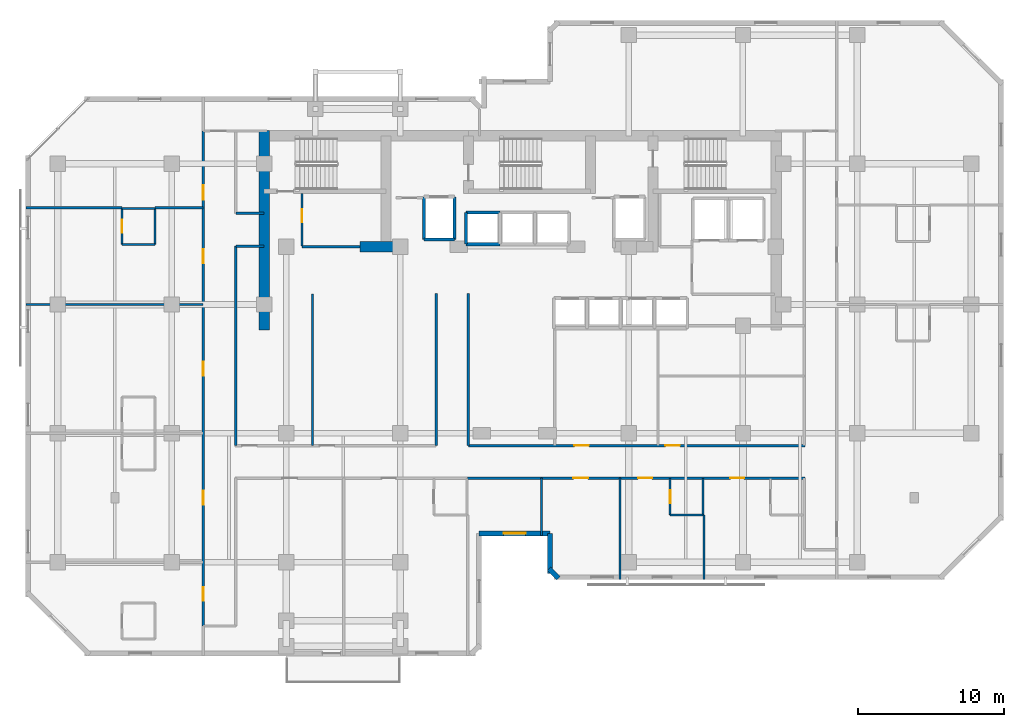
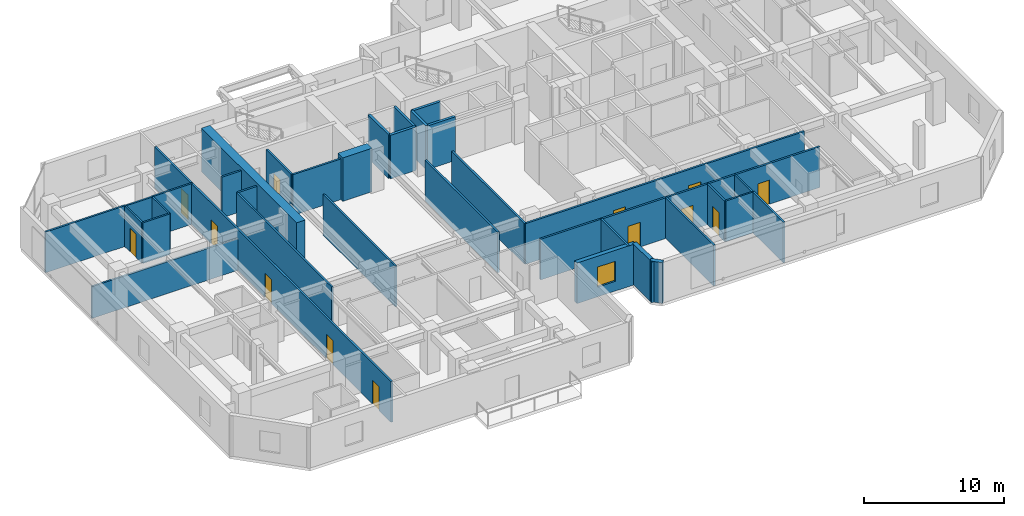
# One storey, part 5 of 11: 35 walls, 13 doors, 1 window, 14 openings.
"""IFC4 building model written with IfcOpenShell, lengths in metres."""

from ifc_helpers import new_model, si_unit, direction, frame, frame_2d, origin, place, context, subcontext, project, spatial, rectangle, extrude, material, layer, layer_set, type_object, element, fill, save


model = new_model("IFC4")

# Units and contexts
model_context = context("Model", 3, precision=1e-05, world=origin(), true_north=direction((0.0, 1.0)))
body_context = subcontext(model_context, "Body", "Model", "MODEL_VIEW")
ifc_project = project(units=[si_unit("LENGTHUNIT", "METRE"), si_unit("AREAUNIT", "SQUARE_METRE"), si_unit("VOLUMEUNIT", "CUBIC_METRE"), si_unit("PLANEANGLEUNIT", "RADIAN"), si_unit("MASSUNIT", "GRAM", prefix="KILO")], contexts=[model_context])

# Site, building, storey
site_placement = place(None, origin())
site = spatial("IfcSite", under=ifc_project, at=site_placement, CompositionType="ELEMENT")
building_placement = place(site_placement, origin())
building = spatial("IfcBuilding", under=site, at=building_placement, Name="Kestravale Grand Hotel", CompositionType="ELEMENT")
storey_placement = place(building_placement, frame((0.0, 0.0, 172.60009765625)))
storey = spatial("IfcBuildingStorey", under=building, at=storey_placement, Name="L43", CompositionType="ELEMENT", Elevation=172.60009765625)

# Walls
ifc_material_1 = material(Name="Concrete f'c 60 MPa", Category="concrete")
ifc_layer_1 = layer(ifc_material_1, 0.699951171875)
ifc_layer_set_1 = layer_set([ifc_layer_1], Name="EW-CORE-700")
wall_type_1 = type_object("IfcWallType", Name="EW-CORE-700", PredefinedType="SHEAR", material=ifc_layer_set_1)
wall_1_placement = place(storey_placement, frame((21.89990234375, 27.050048828125, 0.0), z_axis=(0.0, 0.0, 1.0), x_axis=(0.0, 1.0, 0.0)))
element("IfcWall", 1, at=wall_1_placement, inside=storey, type_object=wall_type_1, Name="L43 core shear wall W1", PredefinedType="SHEAR", context=body_context, shape_type="SweptSolid", body=[
    extrude(rectangle(XDim=13.619873046875, YDim=0.699951171875, at=frame_2d((6.81005859375, 0.0))), origin(), (0.0, 0.0, 1.0), 3.7998046875),
])
wall_2_placement = place(storey_placement, frame((28.449951171875, 32.75, 0.0), z_axis=(0.0, 0.0, 1.0), x_axis=(1.0, 0.0, 0.0)))
element("IfcWall", 2, at=wall_2_placement, inside=storey, type_object=wall_type_1, Name="L43 core shear wall S1", PredefinedType="SHEAR", context=body_context, shape_type="SweptSolid", body=[
    extrude(rectangle(XDim=2.400146484375, YDim=0.699951171875, at=frame_2d((1.2001953125, 0.0))), origin(), (0.0, 0.0, 1.0), 3.7998046875),
])

# Wall, opening, window
ifc_material_2 = material(Name="Precast concrete f'c 45 MPa", Category="concrete")
ifc_layer_2 = layer(ifc_material_2, 0.340087890625)
ifc_layer_set_2 = layer_set([ifc_layer_2], Name="EW-PREC-340")
wall_type_2 = type_object("IfcWallType", Name="EW-PREC-340", PredefinedType="SOLIDWALL", material=ifc_layer_set_2)
wall_3_placement = place(storey_placement, frame((36.580078125, 13.169921875, 0.0), z_axis=(0.0, 0.0, 1.0), x_axis=(1.0, 0.0, 0.0)))
wall_3 = element("IfcWall", 3, at=wall_3_placement, inside=storey, type_object=wall_type_2, Name="L43 fluted precast facade wall 4", PredefinedType="SOLIDWALL", context=body_context, shape_type="SweptSolid", body=[
    extrude(rectangle(XDim=4.83984375, YDim=0.340087890625, at=frame_2d((2.419921875, 0.0))), origin(), (0.0, 0.0, 1.0), 3.5498046875),
])
opening_1_placement = place(wall_3_placement, frame((1.669921875, 0.0, 0.85009765625)))
opening_1 = element("IfcOpeningElement", 4, at=opening_1_placement, cuts=wall_3, Name="Opening W-GUEST-1500", PredefinedType="OPENING", context=body_context, shape_type="SweptSolid", body=[
    extrude(rectangle(XDim=1.5, YDim=1.75, at=frame_2d((0.75, 0.875))), frame((0.0, 0.179931640625, 0.0), z_axis=(0.0, -1.0, 0.0), x_axis=(1.0, 0.0, 0.0)), (0.0, 0.0, 1.0), 0.360107421875),
])
ifc_material_3 = material(Name="Insulated low-E double glazing in aluminium frame", Category="aluminium")
window_type = type_object("IfcWindowType", Name="W-GUEST-1500", PartitioningType="SINGLE_PANEL", PredefinedType="WINDOW", material=ifc_material_3)
window_placement = place(opening_1_placement, origin())
window = element("IfcWindow", 5, at=window_placement, inside=storey, type_object=window_type, Name="L43 exterior window 4.1", OverallHeight=1.75, OverallWidth=1.5, PartitioningType="SINGLE_PANEL", PredefinedType="WINDOW", context=body_context, shape_type="SweptSolid", body=[
    extrude(rectangle(XDim=1.5, YDim=1.75, at=frame_2d((0.75, 0.875))), frame((0.0, 0.030029296875, 0.0), z_axis=(0.0, -1.0, 0.0), x_axis=(1.0, 0.0, 0.0)), (0.0, 0.0, 1.0), 0.06005859375),
])
fill(opening_1, window)

# Walls
wall_4_placement = place(storey_placement, frame((41.419921875, 13.169921875, 0.0), z_axis=(0.0, 0.0, 1.0), x_axis=(0.0, -1.0, 0.0)))
element("IfcWall", 6, at=wall_4_placement, inside=storey, type_object=wall_type_2, Name="L43 fluted precast facade wall 5", PredefinedType="SOLIDWALL", context=body_context, shape_type="SweptSolid", body=[
    extrude(rectangle(XDim=2.739990234375, YDim=0.340087890625, at=frame_2d((1.3701171875, 0.0))), origin(), (0.0, 0.0, 1.0), 3.5498046875),
])
wall_5_placement = place(storey_placement, frame((41.341796875, 10.74853515625, 0.0), z_axis=(0.0, 0.0, 1.0), x_axis=(0.707106781187, -0.707106781187, 0.0)))
element("IfcWall", 7, at=wall_5_placement, inside=storey, type_object=wall_type_2, Name="L43 fluted precast facade wall 6", PredefinedType="SOLIDWALL", context=body_context, shape_type="SweptSolid", body=[
    extrude(rectangle(XDim=0.9287109375, YDim=0.340087890625, at=frame_2d((0.46435546875, 0.0))), origin(), (0.0, 0.0, 1.0), 3.5498046875),
])

# Wall, opening, door
ifc_material_4 = material(Name="Acoustic fire-rated gypsum board partition", Category="other")
ifc_layer_3 = layer(ifc_material_4, 0.159912109375)
ifc_layer_set_3 = layer_set([ifc_layer_3], Name="IW-CORR-160")
wall_type_3 = type_object("IfcWallType", Name="IW-CORR-160", PredefinedType="PARTITIONING", material=ifc_layer_set_3)
wall_6_placement = place(storey_placement, frame((24.47998046875, 32.800048828125, 0.0), z_axis=(0.0, 0.0, 1.0), x_axis=(0.0, 1.0, 0.0)))
wall_6 = element("IfcWall", 8, at=wall_6_placement, inside=storey, type_object=wall_type_3, Name="L43 west core vestibule wall", PredefinedType="PARTITIONING", context=body_context, shape_type="SweptSolid", body=[
    extrude(rectangle(XDim=3.570068359375, YDim=0.159912109375, at=frame_2d((1.78515625, 0.0))), origin(), (0.0, 0.0, 1.0), 3.5498046875),
])
opening_2_placement = place(wall_6_placement, frame((1.603515625, 0.0, 0.0)))
opening_2 = element("IfcOpeningElement", 9, at=opening_2_placement, cuts=wall_6, Name="Opening D-SH-900", PredefinedType="OPENING", context=body_context, shape_type="SweptSolid", body=[
    extrude(rectangle(XDim=0.89990234375, YDim=2.10009765625, at=frame_2d((0.449951171875, 1.050048828125))), frame((0.0, 0.08984375, 0.0), z_axis=(0.0, -1.0, 0.0), x_axis=(1.0, 0.0, 0.0)), (0.0, 0.0, 1.0), 0.179931640625),
])
ifc_material_5 = material(Name="Galvanised 90-minute shaft and service fire door", Category="steel")
door_type_1 = type_object("IfcDoorType", Name="D-SH-900", OperationType="NOTDEFINED", PredefinedType="DOOR", material=ifc_material_5)
door_1_placement = place(opening_2_placement, origin())
door_1 = element("IfcDoor", 10, at=door_1_placement, inside=storey, type_object=door_type_1, Name="D-L43-HK", OperationType="SINGLE_SWING_RIGHT", OverallHeight=2.10009765625, OverallWidth=0.89990234375, PredefinedType="DOOR", context=body_context, shape_type="SweptSolid", body=[
    extrude(rectangle(XDim=0.89990234375, YDim=2.10009765625, at=frame_2d((0.449951171875, 1.050048828125))), frame((0.0, 0.02490234375, 0.0), z_axis=(0.0, -1.0, 0.0), x_axis=(1.0, 0.0, 0.0)), (0.0, 0.0, 1.0), 0.050048828125),
])
fill(opening_2, door_1)

# Wall
wall_7_placement = place(storey_placement, frame((24.47998046875, 32.75, 0.0), z_axis=(0.0, 0.0, 1.0), x_axis=(1.0, 0.0, 0.0)))
element("IfcWall", 11, at=wall_7_placement, inside=storey, type_object=wall_type_3, Name="W-L43-CWS", PredefinedType="PARTITIONING", context=body_context, shape_type="SweptSolid", body=[
    extrude(rectangle(XDim=3.969970703125, YDim=0.159912109375, at=frame_2d((1.98486328125, 0.0))), origin(), (0.0, 0.0, 1.0), 3.5498046875),
])

# Wall, openings, doors
wall_8_placement = place(storey_placement, frame((35.85009765625, 19.159912109375, 0.0), z_axis=(0.0, 0.0, 1.0), x_axis=(1.0, 0.0, 0.0)))
wall_8 = element("IfcWall", 12, at=wall_8_placement, inside=storey, type_object=wall_type_3, Name="W-L43-CE-N", PredefinedType="PARTITIONING", context=body_context, shape_type="SweptSolid", body=[
    extrude(rectangle(XDim=23.0, YDim=0.159912109375, at=frame_2d((11.5, 0.0))), origin(), (0.0, 0.0, 1.0), 3.5498046875),
])
opening_3_placement = place(wall_8_placement, frame((7.231201171875, 0.0, 0.0)))
opening_3 = element("IfcOpeningElement", 13, at=opening_3_placement, cuts=wall_8, Name="Opening D-GUEST-1000", PredefinedType="OPENING", context=body_context, shape_type="SweptSolid", body=[
    extrude(rectangle(XDim=1.0, YDim=2.14990234375, at=frame_2d((0.5, 1.074951171875))), frame((0.0, 0.08984375, 0.0), z_axis=(0.0, -1.0, 0.0), x_axis=(1.0, 0.0, 0.0)), (0.0, 0.0, 1.0), 0.179931640625),
])
opening_4_placement = place(wall_8_placement, frame((13.449951171875, 0.0, 0.0)))
opening_4 = element("IfcOpeningElement", 14, at=opening_4_placement, cuts=wall_8, Name="Opening D-GUEST-1000", PredefinedType="OPENING", context=body_context, shape_type="SweptSolid", body=[
    extrude(rectangle(XDim=1.0, YDim=2.14990234375, at=frame_2d((0.5, 1.074951171875))), frame((0.0, 0.08984375, 0.0), z_axis=(0.0, -1.0, 0.0), x_axis=(1.0, 0.0, 0.0)), (0.0, 0.0, 1.0), 0.179931640625),
])
ifc_material_6 = material(Name="Accessible walnut veneer hotel entrance fire door", Category="wood")
door_type_2 = type_object("IfcDoorType", Name="D-GUEST-1000", OperationType="NOTDEFINED", PredefinedType="DOOR", material=ifc_material_6)
door_2_placement = place(opening_3_placement, origin())
door_2 = element("IfcDoor", 15, at=door_2_placement, inside=storey, type_object=door_type_2, Name="D-L43-RECL-E1", OperationType="SINGLE_SWING_RIGHT", OverallHeight=2.14990234375, OverallWidth=1.0, PredefinedType="DOOR", context=body_context, shape_type="SweptSolid", body=[
    extrude(rectangle(XDim=1.0, YDim=2.14990234375, at=frame_2d((0.5, 1.074951171875))), frame((0.0, 0.02490234375, 0.0), z_axis=(0.0, -1.0, 0.0), x_axis=(1.0, 0.0, 0.0)), (0.0, 0.0, 1.0), 0.050048828125),
])
fill(opening_3, door_2)
door_3_placement = place(opening_4_placement, origin())
door_3 = element("IfcDoor", 16, at=door_3_placement, inside=storey, type_object=door_type_2, Name="D-L43-RECL-E2", OperationType="SINGLE_SWING_LEFT", OverallHeight=2.14990234375, OverallWidth=1.0, PredefinedType="DOOR", context=body_context, shape_type="SweptSolid", body=[
    extrude(rectangle(XDim=1.0, YDim=2.14990234375, at=frame_2d((0.5, 1.074951171875))), frame((0.0, 0.02490234375, 0.0), z_axis=(0.0, -1.0, 0.0), x_axis=(1.0, 0.0, 0.0)), (0.0, 0.0, 1.0), 0.050048828125),
])
fill(opening_4, door_3)

# Walls
for number, where, z_axis, x_axis, name in (
    (17, (33.64990234375, 19.159912109375, 0.0), (0.0, 0.0, 1.0), (0.0, 1.0, 0.0), "W-L43-TRUNK-W"),
    (18, (35.85009765625, 19.159912109375, 0.0), (0.0, 0.0, 1.0), (0.0, 1.0, 0.0), "W-L43-TRUNK-E"),
):
    element("IfcWall", number, at=place(storey_placement, frame(where, z_axis=z_axis, x_axis=x_axis)), inside=storey, type_object=wall_type_3, Name=name, PredefinedType="PARTITIONING", context=body_context, shape_type="SweptSolid", body=[
        extrude(rectangle(XDim=10.39013671875, YDim=0.159912109375, at=frame_2d((5.195068359375, 0.0))), origin(), (0.0, 0.0, 1.0), 3.5498046875),
    ])

# Wall, openings, doors
wall_9_placement = place(storey_placement, frame((35.800048828125, 16.93994140625, 0.0), z_axis=(0.0, 0.0, 1.0), x_axis=(1.0, 0.0, 0.0)))
wall_9 = element("IfcWall", 19, at=wall_9_placement, inside=storey, type_object=wall_type_3, Name="W-L43-CE-S", PredefinedType="PARTITIONING", context=body_context, shape_type="SweptSolid", body=[
    extrude(rectangle(XDim=23.050048828125, YDim=0.159912109375, at=frame_2d((11.52490234375, 0.0))), origin(), (0.0, 0.0, 1.0), 3.5498046875),
])
opening_5_placement = place(wall_9_placement, frame((7.222412109375, 0.0, 0.0)))
opening_5 = element("IfcOpeningElement", 20, at=opening_5_placement, cuts=wall_9, Name="Opening D-GUEST-1000", PredefinedType="OPENING", context=body_context, shape_type="SweptSolid", body=[
    extrude(rectangle(XDim=1.0, YDim=2.14990234375, at=frame_2d((0.5, 1.074951171875))), frame((0.0, 0.08984375, 0.0), z_axis=(0.0, -1.0, 0.0), x_axis=(1.0, 0.0, 0.0)), (0.0, 0.0, 1.0), 0.179931640625),
])
opening_6_placement = place(wall_9_placement, frame((11.638916015625, 0.0, 0.0)))
opening_6 = element("IfcOpeningElement", 21, at=opening_6_placement, cuts=wall_9, Name="Opening D-GUEST-950", PredefinedType="OPENING", context=body_context, shape_type="SweptSolid", body=[
    extrude(rectangle(XDim=0.949951171875, YDim=2.10009765625, at=frame_2d((0.47509765625, 1.050048828125))), frame((0.0, 0.08984375, 0.0), z_axis=(0.0, -1.0, 0.0), x_axis=(1.0, 0.0, 0.0)), (0.0, 0.0, 1.0), 0.179931640625),
])
opening_7_placement = place(wall_9_placement, frame((17.936279296875, 0.0, 0.0)))
opening_7 = element("IfcOpeningElement", 22, at=opening_7_placement, cuts=wall_9, Name="Opening D-GUEST-950", PredefinedType="OPENING", context=body_context, shape_type="SweptSolid", body=[
    extrude(rectangle(XDim=0.949951171875, YDim=2.10009765625, at=frame_2d((0.47509765625, 1.050048828125))), frame((0.0, 0.08984375, 0.0), z_axis=(0.0, -1.0, 0.0), x_axis=(1.0, 0.0, 0.0)), (0.0, 0.0, 1.0), 0.179931640625),
])
door_4_placement = place(opening_5_placement, origin())
door_4 = element("IfcDoor", 23, at=door_4_placement, inside=storey, type_object=door_type_2, Name="D-L43-AME", OperationType="SINGLE_SWING_LEFT", OverallHeight=2.14990234375, OverallWidth=1.0, PredefinedType="DOOR", context=body_context, shape_type="SweptSolid", body=[
    extrude(rectangle(XDim=1.0, YDim=2.14990234375, at=frame_2d((0.5, 1.074951171875))), frame((0.0, 0.02490234375, 0.0), z_axis=(0.0, -1.0, 0.0), x_axis=(1.0, 0.0, 0.0)), (0.0, 0.0, 1.0), 0.050048828125),
])
fill(opening_5, door_4)
ifc_material_7 = material(Name="Walnut veneer hotel guestroom entrance fire door", Category="wood")
door_type_3 = type_object("IfcDoorType", Name="D-GUEST-950", OperationType="NOTDEFINED", PredefinedType="DOOR", material=ifc_material_7)
door_5_placement = place(opening_6_placement, origin())
door_5 = element("IfcDoor", 24, at=door_5_placement, inside=storey, type_object=door_type_3, Name="D-L43-U02-ENT", OperationType="SINGLE_SWING_LEFT", OverallHeight=2.10009765625, OverallWidth=0.949951171875, PredefinedType="DOOR", context=body_context, shape_type="SweptSolid", body=[
    extrude(rectangle(XDim=0.949951171875, YDim=2.10009765625, at=frame_2d((0.47509765625, 1.050048828125))), frame((0.0, 0.02490234375, 0.0), z_axis=(0.0, -1.0, 0.0), x_axis=(1.0, 0.0, 0.0)), (0.0, 0.0, 1.0), 0.050048828125),
])
fill(opening_6, door_5)
door_6_placement = place(opening_7_placement, origin())
door_6 = element("IfcDoor", 25, at=door_6_placement, inside=storey, type_object=door_type_3, Name="D-L43-U03-ENT", OperationType="SINGLE_SWING_LEFT", OverallHeight=2.10009765625, OverallWidth=0.949951171875, PredefinedType="DOOR", context=body_context, shape_type="SweptSolid", body=[
    extrude(rectangle(XDim=0.949951171875, YDim=2.10009765625, at=frame_2d((0.47509765625, 1.050048828125))), frame((0.0, 0.02490234375, 0.0), z_axis=(0.0, -1.0, 0.0), x_axis=(1.0, 0.0, 0.0)), (0.0, 0.0, 1.0), 0.050048828125),
])
fill(opening_7, door_6)

wall_10_placement = place(storey_placement, frame((17.739990234375, 6.85009765625, 0.0), z_axis=(0.0, 0.0, 1.0), x_axis=(0.0, 1.0, 0.0)))
wall_10 = element("IfcWall", 26, at=wall_10_placement, inside=storey, type_object=wall_type_3, Name="W-L43-SW-W", PredefinedType="PARTITIONING", context=body_context, shape_type="SweptSolid", body=[
    extrude(rectangle(XDim=33.7998046875, YDim=0.159912109375, at=frame_2d((16.89990234375, 0.0))), origin(), (0.0, 0.0, 1.0), 3.5498046875),
])
opening_8_placement = place(wall_10_placement, frame((1.699951171875, 0.0, 0.0)))
opening_8 = element("IfcOpeningElement", 27, at=opening_8_placement, cuts=wall_10, Name="Opening D-GUEST-950", PredefinedType="OPENING", context=body_context, shape_type="SweptSolid", body=[
    extrude(rectangle(XDim=0.949951171875, YDim=2.10009765625, at=frame_2d((0.47509765625, 1.050048828125))), frame((0.0, 0.08984375, 0.0), z_axis=(0.0, -1.0, 0.0), x_axis=(1.0, 0.0, 0.0)), (0.0, 0.0, 1.0), 0.179931640625),
])
opening_9_placement = place(wall_10_placement, frame((8.27490234375, 0.0, 0.0)))
opening_9 = element("IfcOpeningElement", 28, at=opening_9_placement, cuts=wall_10, Name="Opening D-GUEST-950", PredefinedType="OPENING", context=body_context, shape_type="SweptSolid", body=[
    extrude(rectangle(XDim=0.949951171875, YDim=2.10009765625, at=frame_2d((0.47509765625, 1.050048828125))), frame((0.0, 0.08984375, 0.0), z_axis=(0.0, -1.0, 0.0), x_axis=(1.0, 0.0, 0.0)), (0.0, 0.0, 1.0), 0.179931640625),
])
opening_10_placement = place(wall_10_placement, frame((17.074951171875, 0.0, 0.0)))
opening_10 = element("IfcOpeningElement", 29, at=opening_10_placement, cuts=wall_10, Name="Opening D-GUEST-950", PredefinedType="OPENING", context=body_context, shape_type="SweptSolid", body=[
    extrude(rectangle(XDim=0.949951171875, YDim=2.10009765625, at=frame_2d((0.47509765625, 1.050048828125))), frame((0.0, 0.08984375, 0.0), z_axis=(0.0, -1.0, 0.0), x_axis=(1.0, 0.0, 0.0)), (0.0, 0.0, 1.0), 0.179931640625),
])
opening_11_placement = place(wall_10_placement, frame((24.77490234375, 0.0, 0.0)))
opening_11 = element("IfcOpeningElement", 30, at=opening_11_placement, cuts=wall_10, Name="Opening D-GUEST-950", PredefinedType="OPENING", context=body_context, shape_type="SweptSolid", body=[
    extrude(rectangle(XDim=0.949951171875, YDim=2.10009765625, at=frame_2d((0.47509765625, 1.050048828125))), frame((0.0, 0.08984375, 0.0), z_axis=(0.0, -1.0, 0.0), x_axis=(1.0, 0.0, 0.0)), (0.0, 0.0, 1.0), 0.179931640625),
])
opening_12_placement = place(wall_10_placement, frame((29.10009765625, 0.0, 0.0)))
opening_12 = element("IfcOpeningElement", 31, at=opening_12_placement, cuts=wall_10, Name="Opening D-GUEST-1000", PredefinedType="OPENING", context=body_context, shape_type="SweptSolid", body=[
    extrude(rectangle(XDim=1.0, YDim=2.14990234375, at=frame_2d((0.5, 1.074951171875))), frame((0.0, 0.08984375, 0.0), z_axis=(0.0, -1.0, 0.0), x_axis=(1.0, 0.0, 0.0)), (0.0, 0.0, 1.0), 0.179931640625),
])
door_7_placement = place(opening_12_placement, origin())
door_7 = element("IfcDoor", 32, at=door_7_placement, inside=storey, type_object=door_type_2, Name="D-L43-AMWW", OperationType="SINGLE_SWING_RIGHT", OverallHeight=2.14990234375, OverallWidth=1.0, PredefinedType="DOOR", context=body_context, shape_type="SweptSolid", body=[
    extrude(rectangle(XDim=1.0, YDim=2.14990234375, at=frame_2d((0.5, 1.074951171875))), frame((0.0, 0.02490234375, 0.0), z_axis=(0.0, -1.0, 0.0), x_axis=(1.0, 0.0, 0.0)), (0.0, 0.0, 1.0), 0.050048828125),
])
fill(opening_12, door_7)
door_8_placement = place(opening_8_placement, origin())
door_8 = element("IfcDoor", 33, at=door_8_placement, inside=storey, type_object=door_type_3, Name="D-L43-U04-ENT", OperationType="SINGLE_SWING_LEFT", OverallHeight=2.10009765625, OverallWidth=0.949951171875, PredefinedType="DOOR", context=body_context, shape_type="SweptSolid", body=[
    extrude(rectangle(XDim=0.949951171875, YDim=2.10009765625, at=frame_2d((0.47509765625, 1.050048828125))), frame((0.0, 0.02490234375, 0.0), z_axis=(0.0, -1.0, 0.0), x_axis=(1.0, 0.0, 0.0)), (0.0, 0.0, 1.0), 0.050048828125),
])
fill(opening_8, door_8)
door_9_placement = place(opening_9_placement, origin())
door_9 = element("IfcDoor", 34, at=door_9_placement, inside=storey, type_object=door_type_3, Name="D-L43-U05-ENT", OperationType="SINGLE_SWING_LEFT", OverallHeight=2.10009765625, OverallWidth=0.949951171875, PredefinedType="DOOR", context=body_context, shape_type="SweptSolid", body=[
    extrude(rectangle(XDim=0.949951171875, YDim=2.10009765625, at=frame_2d((0.47509765625, 1.050048828125))), frame((0.0, 0.02490234375, 0.0), z_axis=(0.0, -1.0, 0.0), x_axis=(1.0, 0.0, 0.0)), (0.0, 0.0, 1.0), 0.050048828125),
])
fill(opening_9, door_9)
door_10_placement = place(opening_10_placement, origin())
door_10 = element("IfcDoor", 35, at=door_10_placement, inside=storey, type_object=door_type_3, Name="D-L43-U06-ENT", OperationType="SINGLE_SWING_LEFT", OverallHeight=2.10009765625, OverallWidth=0.949951171875, PredefinedType="DOOR", context=body_context, shape_type="SweptSolid", body=[
    extrude(rectangle(XDim=0.949951171875, YDim=2.10009765625, at=frame_2d((0.47509765625, 1.050048828125))), frame((0.0, 0.02490234375, 0.0), z_axis=(0.0, -1.0, 0.0), x_axis=(1.0, 0.0, 0.0)), (0.0, 0.0, 1.0), 0.050048828125),
])
fill(opening_10, door_10)
door_11_placement = place(opening_11_placement, origin())
door_11 = element("IfcDoor", 36, at=door_11_placement, inside=storey, type_object=door_type_3, Name="D-L43-U07-ENT", OperationType="SINGLE_SWING_LEFT", OverallHeight=2.10009765625, OverallWidth=0.949951171875, PredefinedType="DOOR", context=body_context, shape_type="SweptSolid", body=[
    extrude(rectangle(XDim=0.949951171875, YDim=2.10009765625, at=frame_2d((0.47509765625, 1.050048828125))), frame((0.0, 0.02490234375, 0.0), z_axis=(0.0, -1.0, 0.0), x_axis=(1.0, 0.0, 0.0)), (0.0, 0.0, 1.0), 0.050048828125),
])
fill(opening_11, door_11)

# Walls
for number, where, z_axis, x_axis, name in (
    (37, (19.9599609375, 35.02001953125, 0.0), (0.0, 0.0, 1.0), (1.0, 0.0, 0.0), "W-L43-SW-CN"),
    (38, (19.9599609375, 32.780029296875, 0.0), (0.0, 0.0, 1.0), (1.0, 0.0, 0.0), "W-L43-SW-CS"),
):
    element("IfcWall", number, at=place(storey_placement, frame(where, z_axis=z_axis, x_axis=x_axis)), inside=storey, type_object=wall_type_3, Name=name, PredefinedType="PARTITIONING", context=body_context, shape_type="SweptSolid", body=[
        extrude(rectangle(XDim=1.93994140625, YDim=0.159912109375, at=frame_2d((0.969970703125, 0.0))), origin(), (0.0, 0.0, 1.0), 3.5498046875),
    ])

# Wall, opening, door
ifc_material_8 = material(Name="Moisture-resistant tile-backer plumbing chase wall", Category="other")
ifc_layer_4 = layer(ifc_material_8, 0.139892578125)
ifc_layer_set_4 = layer_set([ifc_layer_4], Name="IW-PLB-140")
wall_type_4 = type_object("IfcWallType", Name="IW-PLB-140", PredefinedType="PLUMBINGWALL", material=ifc_layer_set_4)
wall_11_placement = place(storey_placement, frame((49.632568359375, 14.429931640625, 0.0), z_axis=(0.0, 0.0, 1.0), x_axis=(0.0, 1.0, 0.0)))
wall_11 = element("IfcWall", 39, at=wall_11_placement, inside=storey, type_object=wall_type_4, Name="W-L43-U02-BW", PredefinedType="PLUMBINGWALL", context=body_context, shape_type="SweptSolid", body=[
    extrude(rectangle(XDim=2.489990234375, YDim=0.139892578125, at=frame_2d((1.2451171875, 0.0))), origin(), (0.0, 0.0, 1.0), 3.5498046875),
])
opening_13_placement = place(wall_11_placement, frame((0.804931640625, 0.0, 0.0)))
opening_13 = element("IfcOpeningElement", 40, at=opening_13_placement, cuts=wall_11, Name="Opening D-BATH-880", PredefinedType="OPENING", context=body_context, shape_type="SweptSolid", body=[
    extrude(rectangle(XDim=0.8798828125, YDim=2.050048828125, at=frame_2d((0.43994140625, 1.02490234375))), frame((0.0, 0.079833984375, 0.0), z_axis=(0.0, -1.0, 0.0), x_axis=(1.0, 0.0, 0.0)), (0.0, 0.0, 1.0), 0.159912109375),
])
ifc_material_9 = material(Name="Moisture-sealed walnut en-suite bathroom door", Category="wood")
door_type_4 = type_object("IfcDoorType", Name="D-BATH-880", OperationType="NOTDEFINED", PredefinedType="DOOR", material=ifc_material_9)
door_12_placement = place(opening_13_placement, origin())
door_12 = element("IfcDoor", 41, at=door_12_placement, inside=storey, type_object=door_type_4, Name="D-L43-U02-BATH", OperationType="SINGLE_SWING_RIGHT", OverallHeight=2.050048828125, OverallWidth=0.8798828125, PredefinedType="DOOR", context=body_context, shape_type="SweptSolid", body=[
    extrude(rectangle(XDim=0.8798828125, YDim=2.050048828125, at=frame_2d((0.43994140625, 1.02490234375))), frame((0.0, 0.02490234375, 0.0), z_axis=(0.0, -1.0, 0.0), x_axis=(1.0, 0.0, 0.0)), (0.0, 0.0, 1.0), 0.050048828125),
])
fill(opening_13, door_12)

# Walls
wall_12_placement = place(storey_placement, frame((51.882568359375, 14.429931640625, 0.0), z_axis=(0.0, 0.0, 1.0), x_axis=(0.0, 1.0, 0.0)))
element("IfcWall", 42, at=wall_12_placement, inside=storey, type_object=wall_type_4, Name="W-L43-U02-BE", PredefinedType="PLUMBINGWALL", context=body_context, shape_type="SweptSolid", body=[
    extrude(rectangle(XDim=2.489990234375, YDim=0.139892578125, at=frame_2d((1.2451171875, 0.0))), origin(), (0.0, 0.0, 1.0), 3.5498046875),
])
wall_13_placement = place(storey_placement, frame((49.632568359375, 14.429931640625, 0.0), z_axis=(0.0, 0.0, 1.0), x_axis=(1.0, 0.0, 0.0)))
element("IfcWall", 43, at=wall_13_placement, inside=storey, type_object=wall_type_4, Name="W-L43-U02-BS", PredefinedType="PLUMBINGWALL", context=body_context, shape_type="SweptSolid", body=[
    extrude(rectangle(XDim=2.25, YDim=0.139892578125, at=frame_2d((1.125, 0.0))), origin(), (0.0, 0.0, 1.0), 3.5498046875),
])

# Wall, opening, door
wall_14_placement = place(storey_placement, frame((12.199951171875, 32.909912109375, 0.0), z_axis=(0.0, 0.0, 1.0), x_axis=(0.0, 1.0, 0.0)))
wall_14 = element("IfcWall", 44, at=wall_14_placement, inside=storey, type_object=wall_type_4, Name="W-L43-U07-BW", PredefinedType="PLUMBINGWALL", context=body_context, shape_type="SweptSolid", body=[
    extrude(rectangle(XDim=2.4501953125, YDim=0.139892578125, at=frame_2d((1.22509765625, 0.0))), origin(), (0.0, 0.0, 1.0), 3.5498046875),
])
opening_14_placement = place(wall_14_placement, frame((0.784912109375, 0.0, 0.0)))
opening_14 = element("IfcOpeningElement", 45, at=opening_14_placement, cuts=wall_14, Name="Opening D-BATH-880", PredefinedType="OPENING", context=body_context, shape_type="SweptSolid", body=[
    extrude(rectangle(XDim=0.8798828125, YDim=2.050048828125, at=frame_2d((0.43994140625, 1.02490234375))), frame((0.0, 0.079833984375, 0.0), z_axis=(0.0, -1.0, 0.0), x_axis=(1.0, 0.0, 0.0)), (0.0, 0.0, 1.0), 0.159912109375),
])
door_13_placement = place(opening_14_placement, origin())
door_13 = element("IfcDoor", 46, at=door_13_placement, inside=storey, type_object=door_type_4, Name="D-L43-U07-BATH", OperationType="SINGLE_SWING_RIGHT", OverallHeight=2.050048828125, OverallWidth=0.8798828125, PredefinedType="DOOR", context=body_context, shape_type="SweptSolid", body=[
    extrude(rectangle(XDim=0.8798828125, YDim=2.050048828125, at=frame_2d((0.43994140625, 1.02490234375))), frame((0.0, 0.02490234375, 0.0), z_axis=(0.0, -1.0, 0.0), x_axis=(1.0, 0.0, 0.0)), (0.0, 0.0, 1.0), 0.050048828125),
])
fill(opening_14, door_13)

# Walls
wall_15_placement = place(storey_placement, frame((14.449951171875, 32.909912109375, 0.0), z_axis=(0.0, 0.0, 1.0), x_axis=(0.0, 1.0, 0.0)))
element("IfcWall", 47, at=wall_15_placement, inside=storey, type_object=wall_type_4, Name="W-L43-U07-BE", PredefinedType="PLUMBINGWALL", context=body_context, shape_type="SweptSolid", body=[
    extrude(rectangle(XDim=2.4501953125, YDim=0.139892578125, at=frame_2d((1.22509765625, 0.0))), origin(), (0.0, 0.0, 1.0), 3.5498046875),
])
for number, where, z_axis, x_axis, name in (
    (48, (12.199951171875, 32.909912109375, 0.0), (0.0, 0.0, 1.0), (1.0, 0.0, 0.0), "W-L43-U07-BS"),
    (49, (12.199951171875, 35.360107421875, 0.0), (0.0, 0.0, 1.0), (1.0, 0.0, 0.0), "W-L43-U07-BN"),
):
    element("IfcWall", number, at=place(storey_placement, frame(where, z_axis=z_axis, x_axis=x_axis)), inside=storey, type_object=wall_type_4, Name=name, PredefinedType="PLUMBINGWALL", context=body_context, shape_type="SweptSolid", body=[
        extrude(rectangle(XDim=2.25, YDim=0.139892578125, at=frame_2d((1.125, 0.0))), origin(), (0.0, 0.0, 1.0), 3.5498046875),
    ])
ifc_material_10 = material(Name="Concrete f'c 45 MPa", Category="concrete")
ifc_layer_5 = layer(ifc_material_10, 0.199951171875)
ifc_layer_set_5 = layer_set([ifc_layer_5], Name="IW-SHAFT-200")
wall_type_5 = type_object("IfcWallType", Name="IW-SHAFT-200", PredefinedType="SHEAR", material=ifc_layer_set_5)
wall_16_placement = place(storey_placement, frame((35.679931640625, 32.919921875, 0.0), z_axis=(0.0, 0.0, 1.0), x_axis=(0.0, 1.0, 0.0)))
element("IfcWall", 50, at=wall_16_placement, inside=storey, type_object=wall_type_5, Name="L43 PL-X1 west shaft wall", PredefinedType="SHEAR", context=body_context, shape_type="SweptSolid", body=[
    extrude(rectangle(XDim=2.16015625, YDim=0.199951171875, at=frame_2d((1.080078125, 0.0))), origin(), (0.0, 0.0, 1.0), 3.7998046875),
])
for number, where, z_axis, x_axis, name in (
    (51, (32.804931640625, 33.2451171875, 0.0), (0.0, 0.0, 1.0), (0.0, 1.0, 0.0), "L43 FL-1 west shaft wall"),
    (52, (34.89501953125, 33.2451171875, 0.0), (0.0, 0.0, 1.0), (0.0, 1.0, 0.0), "L43 FL-1 east shaft wall"),
):
    element("IfcWall", number, at=place(storey_placement, frame(where, z_axis=z_axis, x_axis=x_axis)), inside=storey, type_object=wall_type_5, Name=name, PredefinedType="SHEAR", context=body_context, shape_type="SweptSolid", body=[
        extrude(rectangle(XDim=2.909912109375, YDim=0.199951171875, at=frame_2d((1.455078125, 0.0))), origin(), (0.0, 0.0, 1.0), 3.7998046875),
    ])
ifc_material_11 = material(Name="Concrete f'c 45 MPa", Category="concrete")
ifc_layer_6 = layer(ifc_material_11, 0.219970703125)
ifc_layer_set_6 = layer_set([ifc_layer_6], Name="IW-SHAFT-220")
wall_type_6 = type_object("IfcWallType", Name="IW-SHAFT-220", PredefinedType="SHEAR", material=ifc_layer_set_6)
for number, where, z_axis, x_axis, name in (
    (53, (35.679931640625, 35.080078125, 0.0), (0.0, 0.0, 1.0), (1.0, 0.0, 0.0), "L43 PL-X1 north shaft wall"),
    (54, (35.679931640625, 32.919921875, 0.0), (0.0, 0.0, 1.0), (1.0, 0.0, 0.0), "L43 PL-X1 south shaft wall"),
):
    element("IfcWall", number, at=place(storey_placement, frame(where, z_axis=z_axis, x_axis=x_axis)), inside=storey, type_object=wall_type_6, Name=name, PredefinedType="SHEAR", context=body_context, shape_type="SweptSolid", body=[
        extrude(rectangle(XDim=2.320068359375, YDim=0.219970703125, at=frame_2d((1.16015625, 0.0))), origin(), (0.0, 0.0, 1.0), 3.7998046875),
    ])
wall_17_placement = place(storey_placement, frame((32.804931640625, 33.2451171875, 0.0), z_axis=(0.0, 0.0, 1.0), x_axis=(1.0, 0.0, 0.0)))
element("IfcWall", 55, at=wall_17_placement, inside=storey, type_object=wall_type_6, Name="L43 FL-1 south shaft wall", PredefinedType="SHEAR", context=body_context, shape_type="SweptSolid", body=[
    extrude(rectangle(XDim=2.090087890625, YDim=0.219970703125, at=frame_2d((1.044921875, 0.0))), origin(), (0.0, 0.0, 1.0), 3.7998046875),
])
ifc_material_12 = material(Name="Double-stud STC 52 acoustic demising partition", Category="other")
ifc_layer_7 = layer(ifc_material_12, 0.14990234375)
ifc_layer_set_7 = layer_set([ifc_layer_7], Name="IW-UNIT-150")
wall_type_7 = type_object("IfcWallType", Name="IW-UNIT-150", PredefinedType="PARTITIONING", material=ifc_layer_set_7)
wall_18_placement = place(storey_placement, frame((19.9599609375, 19.159912109375, 0.0), z_axis=(0.0, 0.0, 1.0), x_axis=(0.0, 1.0, 0.0)))
element("IfcWall", 56, at=wall_18_placement, inside=storey, type_object=wall_type_7, Name="W-L43-RCLW-W", PredefinedType="PARTITIONING", context=body_context, shape_type="SweptSolid", body=[
    extrude(rectangle(XDim=13.64013671875, YDim=0.14990234375, at=frame_2d((6.820068359375, 0.0))), origin(), (0.0, 0.0, 1.0), 3.5498046875),
])
wall_19_placement = place(storey_placement, frame((25.199951171875, 19.159912109375, 0.0), z_axis=(0.0, 0.0, 1.0), x_axis=(0.0, 1.0, 0.0)))
element("IfcWall", 57, at=wall_19_placement, inside=storey, type_object=wall_type_7, Name="W-L43-RCLW-M", PredefinedType="PARTITIONING", context=body_context, shape_type="SweptSolid", body=[
    extrude(rectangle(XDim=10.340087890625, YDim=0.14990234375, at=frame_2d((5.169921875, 0.0))), origin(), (0.0, 0.0, 1.0), 3.5498046875),
])
wall_20_placement = place(storey_placement, frame((40.85009765625, 13.02001953125, 0.0), z_axis=(0.0, 0.0, 1.0), x_axis=(0.0, 1.0, 0.0)))
element("IfcWall", 58, at=wall_20_placement, inside=storey, type_object=wall_type_7, Name="W-L43-ES-1", PredefinedType="PARTITIONING", context=body_context, shape_type="SweptSolid", body=[
    extrude(rectangle(XDim=3.919921875, YDim=0.14990234375, at=frame_2d((1.9599609375, 0.0))), origin(), (0.0, 0.0, 1.0), 3.5498046875),
])
wall_21_placement = place(storey_placement, frame((46.195068359375, 10.02001953125, 0.0), z_axis=(0.0, 0.0, 1.0), x_axis=(0.0, 1.0, 0.0)))
element("IfcWall", 59, at=wall_21_placement, inside=storey, type_object=wall_type_7, Name="W-L43-ES-2", PredefinedType="PARTITIONING", context=body_context, shape_type="SweptSolid", body=[
    extrude(rectangle(XDim=6.919921875, YDim=0.14990234375, at=frame_2d((3.4599609375, 0.0))), origin(), (0.0, 0.0, 1.0), 3.5498046875),
])
wall_22_placement = place(storey_placement, frame((51.9423828125, 10.02001953125, 0.0), z_axis=(0.0, 0.0, 1.0), x_axis=(0.0, 1.0, 0.0)))
element("IfcWall", 60, at=wall_22_placement, inside=storey, type_object=wall_type_7, Name="W-L43-ES-3", PredefinedType="PARTITIONING", context=body_context, shape_type="SweptSolid", body=[
    extrude(rectangle(XDim=4.409912109375, YDim=0.14990234375, at=frame_2d((2.205078125, 0.0))), origin(), (0.0, 0.0, 1.0), 3.5498046875),
])
wall_23_placement = place(storey_placement, frame((5.6201171875, 28.800048828125, 0.0), z_axis=(0.0, 0.0, 1.0), x_axis=(1.0, 0.0, 0.0)))
element("IfcWall", 61, at=wall_23_placement, inside=storey, type_object=wall_type_7, Name="W-L43-WW-3", PredefinedType="PARTITIONING", context=body_context, shape_type="SweptSolid", body=[
    extrude(rectangle(XDim=12.119873046875, YDim=0.14990234375, at=frame_2d((6.06005859375, 0.0))), origin(), (0.0, 0.0, 1.0), 2.77783203125),
])
wall_24_placement = place(storey_placement, frame((5.6201171875, 35.39990234375, 0.0), z_axis=(0.0, 0.0, 1.0), x_axis=(1.0, 0.0, 0.0)))
element("IfcWall", 62, at=wall_24_placement, inside=storey, type_object=wall_type_7, Name="W-L43-WW-4", PredefinedType="PARTITIONING", context=body_context, shape_type="SweptSolid", body=[
    extrude(rectangle(XDim=6.579833984375, YDim=0.14990234375, at=frame_2d((3.2900390625, 0.0))), origin(), (0.0, 0.0, 1.0), 3.5498046875),
])
wall_25_placement = place(storey_placement, frame((14.449951171875, 35.39990234375, 0.0), z_axis=(0.0, 0.0, 1.0), x_axis=(1.0, 0.0, 0.0)))
element("IfcWall", 63, at=wall_25_placement, inside=storey, type_object=wall_type_7, Name="W-L43-WW-4", PredefinedType="PARTITIONING", context=body_context, shape_type="SweptSolid", body=[
    extrude(rectangle(XDim=3.2900390625, YDim=0.14990234375, at=frame_2d((1.64501953125, 0.0))), origin(), (0.0, 0.0, 1.0), 3.5498046875),
])

save(model, "model.ifc")
